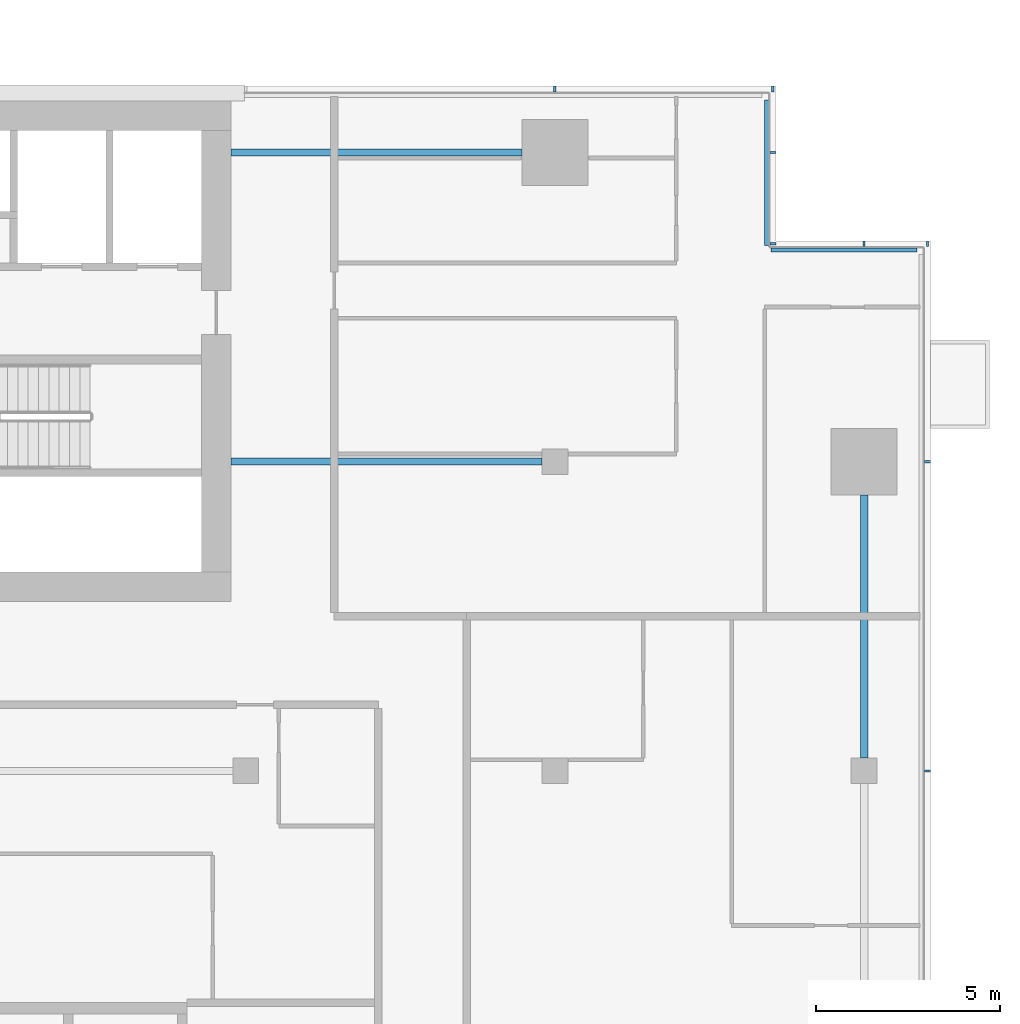
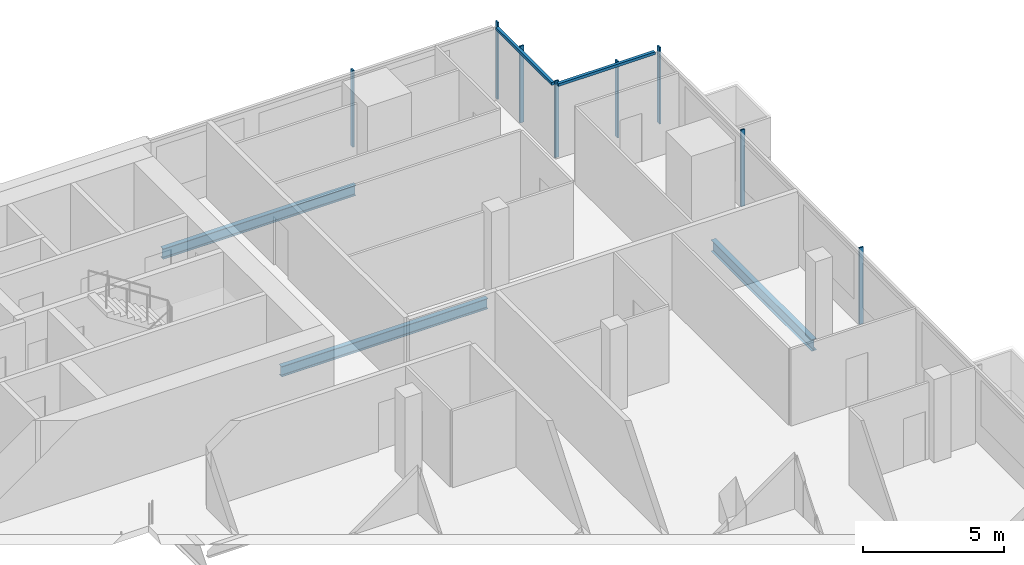
# One storey, part 13 of 28: 10 members, 3 beams, 4 elements without a shape of their own.
"""IFC4 building model written with IfcOpenShell, lengths in metres."""

from ifc_helpers import new_model, si_unit, direction, frame, origin, origin_2d, place, context, subcontext, project, spatial, rectangle, i_section, extrude, material, material_profile, profile_set, type_object, element, aggregate, save


model = new_model("IFC4")

# Units and contexts
model_context = context("Model", 3, precision=1e-05, world=origin(), true_north=direction((0.0, 1.0)))
body_context = subcontext(model_context, "Body", "Model", "MODEL_VIEW")
ifc_project = project(units=[si_unit("LENGTHUNIT", "METRE"), si_unit("AREAUNIT", "SQUARE_METRE"), si_unit("VOLUMEUNIT", "CUBIC_METRE"), si_unit("PLANEANGLEUNIT", "RADIAN"), si_unit("MASSUNIT", "GRAM", prefix="KILO")], contexts=[model_context])

# Site, building, storey
site_placement = place(None, origin())
site = spatial("IfcSite", under=ifc_project, at=site_placement, CompositionType="ELEMENT")
building_placement = place(site_placement, origin())
building = spatial("IfcBuilding", under=site, at=building_placement, Name="Saffron Gate Tower", CompositionType="ELEMENT")
storey_placement = place(building_placement, frame((0.0, 0.0, 176.25)))
storey = spatial("IfcBuildingStorey", under=building, at=storey_placement, Name="L43", CompositionType="ELEMENT", Elevation=176.25)

# Beams
ifc_material_1 = material(Name="Structural steel S355", Category="steel")
ifc_material_profile_1 = material_profile(ifc_material_1, i_section(OverallWidth=0.199951171875, OverallDepth=0.5, WebThickness=0.01025390625, FlangeThickness=0.01611328125, FilletRadius=0.02099609375, at=origin_2d()))
ifc_profile_set_1 = profile_set([ifc_material_profile_1], Name="Structural steel S355")
beam_type_1 = type_object("IfcBeamType", Name="B11 IPE 500", PredefinedType="SPANDREL", material=ifc_profile_set_1)
beam_1_placement = place(storey_placement, frame((125.39990234375, 57.35009765625, -0.530029296875), z_axis=(0.0, 1.0, 0.0), x_axis=(-1.0, 0.0, 0.0)))
element("IfcBeam", 1, at=beam_1_placement, inside=storey, type_object=beam_type_1, Name="B11 SPANDREL BEAM", PredefinedType="SPANDREL", context=body_context, shape_type="SweptSolid", body=[
    extrude(i_section(OverallWidth=0.199951171875, OverallDepth=0.5, WebThickness=0.01025390625, FlangeThickness=0.01611328125, FilletRadius=0.02099609375, at=origin_2d()), origin(), (0.0, 0.0, 1.0), 7.14990234375),
])
ifc_material_profile_2 = material_profile(ifc_material_1, i_section(OverallWidth=0.18994140625, OverallDepth=0.449951171875, WebThickness=0.009521484375, FlangeThickness=0.0146484375, FilletRadius=0.02099609375, at=origin_2d()))
ifc_profile_set_2 = profile_set([ifc_material_profile_2], Name="Structural steel S355")
beam_type_2 = type_object("IfcBeamType", Name="B6 IPE 450", PredefinedType="BEAM", material=ifc_profile_set_2)
beam_2_placement = place(storey_placement, frame((116.64990234375, 65.39990234375, -0.5048828125), z_axis=(-1.0, 0.0, 0.0), x_axis=(0.0, -1.0, 0.0)))
element("IfcBeam", 2, at=beam_2_placement, inside=storey, type_object=beam_type_2, Name="B6 CORE TIE BEAM", PredefinedType="BEAM", context=body_context, shape_type="SweptSolid", body=[
    extrude(i_section(OverallWidth=0.18994140625, OverallDepth=0.449951171875, WebThickness=0.009521484375, FlangeThickness=0.0146484375, FilletRadius=0.02099609375, at=origin_2d()), origin(), (0.0, 0.0, 1.0), 8.449951171875),
])
beam_3_placement = place(storey_placement, frame((116.10009765625, 73.800048828125, -0.5048828125), z_axis=(-1.0, 0.0, 0.0), x_axis=(0.0, -1.0, 0.0)))
element("IfcBeam", 3, at=beam_3_placement, inside=storey, type_object=beam_type_2, Name="B6 CORE TIE BEAM", PredefinedType="BEAM", context=body_context, shape_type="SweptSolid", body=[
    extrude(i_section(OverallWidth=0.18994140625, OverallDepth=0.449951171875, WebThickness=0.009521484375, FlangeThickness=0.0146484375, FilletRadius=0.02099609375, at=origin_2d()), origin(), (0.0, 0.0, 1.0), 7.900146484375),
])

# Curtain wall, members
ifc_material_2 = material(Name="Aluminium, bronze anodised", Category="aluminium")
curtain_wall_type_1 = type_object("IfcCurtainWallType", Name="CWS2 curtain wall side facades", PredefinedType="NOTDEFINED", material=ifc_material_2)
curtain_wall_1_placement = place(storey_placement, origin())
curtain_wall_1 = element("IfcCurtainWall", 4, at=curtain_wall_1_placement, inside=storey, type_object=curtain_wall_type_1, Name="CWS2 run 4", PredefinedType="NOTDEFINED")
ifc_material_profile_3 = material_profile(ifc_material_2, rectangle(XDim=0.159912109375, YDim=0.06005859375, at=origin_2d()))
ifc_profile_set_3 = profile_set([ifc_material_profile_3], Name="Aluminium, bronze anodised")
member_type_1 = type_object("IfcMemberType", Name="CWS2 mullion 60x160", PredefinedType="MULLION", material=ifc_profile_set_3)
member_1_placement = place(storey_placement, frame((127.1201171875, 57.0, 0.0), z_axis=(0.0, 0.0, 1.0), x_axis=(-1.0, 0.0, 0.0)))
member_1 = element("IfcMember", 5, at=member_1_placement, type_object=member_type_1, Name="CWS2 mullion 4", PredefinedType="MULLION", context=body_context, shape_type="SweptSolid", body=[
    extrude(rectangle(XDim=0.159912109375, YDim=0.06005859375, at=origin_2d()), origin(), (0.0, 0.0, 1.0), 3.320068359375),
])
member_2_placement = place(storey_placement, frame((127.1201171875, 65.39990234375, 0.0), z_axis=(0.0, 0.0, 1.0), x_axis=(-1.0, 0.0, 0.0)))
member_2 = element("IfcMember", 6, at=member_2_placement, type_object=member_type_1, Name="CWS2 mullion 5", PredefinedType="MULLION", context=body_context, shape_type="SweptSolid", body=[
    extrude(rectangle(XDim=0.159912109375, YDim=0.06005859375, at=origin_2d()), origin(), (0.0, 0.0, 1.0), 3.320068359375),
])
aggregate(curtain_wall_1, [member_1, member_2])

curtain_wall_type_2 = type_object("IfcCurtainWallType", Name="CWS3 curtain wall rear facade", PredefinedType="NOTDEFINED", material=ifc_material_2)
curtain_wall_2_placement = place(storey_placement, origin())
curtain_wall_2 = element("IfcCurtainWall", 7, at=curtain_wall_2_placement, inside=storey, type_object=curtain_wall_type_2, Name="CWS3 run 7", PredefinedType="NOTDEFINED")
ifc_material_profile_4 = material_profile(ifc_material_2, rectangle(XDim=0.159912109375, YDim=0.070068359375, at=origin_2d()))
ifc_profile_set_4 = profile_set([ifc_material_profile_4], Name="Aluminium, bronze anodised")
member_type_2 = type_object("IfcMemberType", Name="CWS3 mullion 70x160", PredefinedType="MULLION", material=ifc_profile_set_4)
member_3_placement = place(storey_placement, frame((122.919921875, 75.52001953125, 0.0), z_axis=(0.0, 0.0, 1.0), x_axis=(0.0, -1.0, 0.0)))
member_3 = element("IfcMember", 8, at=member_3_placement, type_object=member_type_2, Name="CWS3 mullion 1", PredefinedType="MULLION", context=body_context, shape_type="SweptSolid", body=[
    extrude(rectangle(XDim=0.159912109375, YDim=0.070068359375, at=origin_2d()), origin(), (0.0, 0.0, 1.0), 3.320068359375),
])
member_4_placement = place(storey_placement, frame((117.0, 75.52001953125, 0.0), z_axis=(0.0, 0.0, 1.0), x_axis=(0.0, -1.0, 0.0)))
member_4 = element("IfcMember", 9, at=member_4_placement, type_object=member_type_2, Name="CWS3 mullion 2", PredefinedType="MULLION", context=body_context, shape_type="SweptSolid", body=[
    extrude(rectangle(XDim=0.159912109375, YDim=0.070068359375, at=origin_2d()), origin(), (0.0, 0.0, 1.0), 3.320068359375),
])
aggregate(curtain_wall_2, [member_3, member_4])

# Curtain wall, member
curtain_wall_type_3 = type_object("IfcCurtainWallType", Name="CWS4 curtain wall corner returns", PredefinedType="NOTDEFINED", material=ifc_material_2)
curtain_wall_3_placement = place(storey_placement, origin())
curtain_wall_3 = element("IfcCurtainWall", 10, at=curtain_wall_3_placement, inside=storey, type_object=curtain_wall_type_3, Name="CWS4 run 5", PredefinedType="NOTDEFINED")
ifc_material_profile_5 = material_profile(ifc_material_2, rectangle(XDim=0.1201171875, YDim=0.1201171875, at=origin_2d()))
ifc_profile_set_5 = profile_set([ifc_material_profile_5], Name="Aluminium, bronze anodised")
member_type_3 = type_object("IfcMemberType", Name="CWS4 head transom", PredefinedType="USERDEFINED", material=ifc_profile_set_5)
member_5_placement = place(storey_placement, frame((126.83203125, 71.152099609375, 3.260009765625), z_axis=(-1.0, 0.0, 0.0), x_axis=(0.0, -1.0, 0.0)))
member_5 = element("IfcMember", 11, at=member_5_placement, type_object=member_type_3, Name="CWS4 head transom", ObjectType="TRANSOM", PredefinedType="USERDEFINED", context=body_context, shape_type="SweptSolid", body=[
    extrude(rectangle(XDim=0.1201171875, YDim=0.1201171875, at=origin_2d()), origin(), (0.0, 0.0, 1.0), 3.9599609375),
])

curtain_wall_4_placement = place(storey_placement, origin())
curtain_wall_4 = element("IfcCurtainWall", 12, at=curtain_wall_4_placement, inside=storey, type_object=curtain_wall_type_3, Name="CWS4 run 6", PredefinedType="NOTDEFINED")
member_6_placement = place(storey_placement, frame((122.751953125, 71.27197265625, 3.260009765625), z_axis=(0.0, 1.0, 0.0), x_axis=(-1.0, 0.0, 0.0)))
member_6 = element("IfcMember", 13, at=member_6_placement, type_object=member_type_3, Name="CWS4 head transom", ObjectType="TRANSOM", PredefinedType="USERDEFINED", context=body_context, shape_type="SweptSolid", body=[
    extrude(rectangle(XDim=0.1201171875, YDim=0.1201171875, at=origin_2d()), origin(), (0.0, 0.0, 1.0), 3.9599609375),
])

# Member
ifc_material_profile_6 = material_profile(ifc_material_2, rectangle(XDim=0.159912109375, YDim=0.06005859375, at=origin_2d()))
ifc_profile_set_6 = profile_set([ifc_material_profile_6], Name="Aluminium, bronze anodised")
member_type_4 = type_object("IfcMemberType", Name="CWS4 mullion 60x160", PredefinedType="MULLION", material=ifc_profile_set_6)
member_7_placement = place(storey_placement, frame((127.1201171875, 71.320068359375, 0.0), z_axis=(0.0, 0.0, 1.0), x_axis=(0.0, -1.0, 0.0)))
member_7 = element("IfcMember", 14, at=member_7_placement, type_object=member_type_4, Name="CWS4 mullion 1", PredefinedType="MULLION", context=body_context, shape_type="SweptSolid", body=[
    extrude(rectangle(XDim=0.159912109375, YDim=0.06005859375, at=origin_2d()), origin(), (0.0, 0.0, 1.0), 3.320068359375),
])

member_8_placement = place(storey_placement, frame((125.39990234375, 71.320068359375, 0.0), z_axis=(0.0, 0.0, 1.0), x_axis=(0.0, -1.0, 0.0)))
member_8 = element("IfcMember", 15, at=member_8_placement, type_object=member_type_4, Name="CWS4 mullion 2", PredefinedType="MULLION", context=body_context, shape_type="SweptSolid", body=[
    extrude(rectangle(XDim=0.159912109375, YDim=0.06005859375, at=origin_2d()), origin(), (0.0, 0.0, 1.0), 3.320068359375),
])

aggregate(curtain_wall_3, [member_7, member_8, member_5])

member_9_placement = place(storey_placement, frame((122.919921875, 71.320068359375, 0.0), z_axis=(0.0, 0.0, 1.0), x_axis=(-1.0, 0.0, 0.0)))
member_9 = element("IfcMember", 16, at=member_9_placement, type_object=member_type_4, Name="CWS4 mullion 1", PredefinedType="MULLION", context=body_context, shape_type="SweptSolid", body=[
    extrude(rectangle(XDim=0.159912109375, YDim=0.06005859375, at=origin_2d()), origin(), (0.0, 0.0, 1.0), 3.320068359375),
])

member_10_placement = place(storey_placement, frame((122.919921875, 73.800048828125, 0.0), z_axis=(0.0, 0.0, 1.0), x_axis=(-1.0, 0.0, 0.0)))
member_10 = element("IfcMember", 17, at=member_10_placement, type_object=member_type_4, Name="CWS4 mullion 2", PredefinedType="MULLION", context=body_context, shape_type="SweptSolid", body=[
    extrude(rectangle(XDim=0.159912109375, YDim=0.06005859375, at=origin_2d()), origin(), (0.0, 0.0, 1.0), 3.320068359375),
])

aggregate(curtain_wall_4, [member_9, member_10, member_6])

save(model, "model.ifc")
